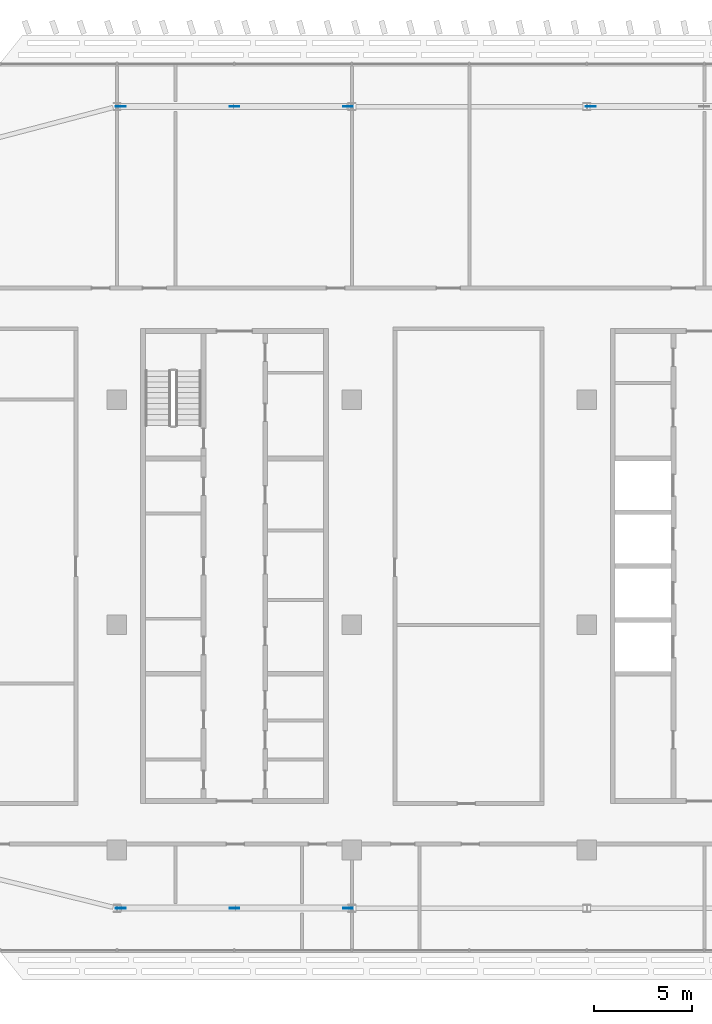
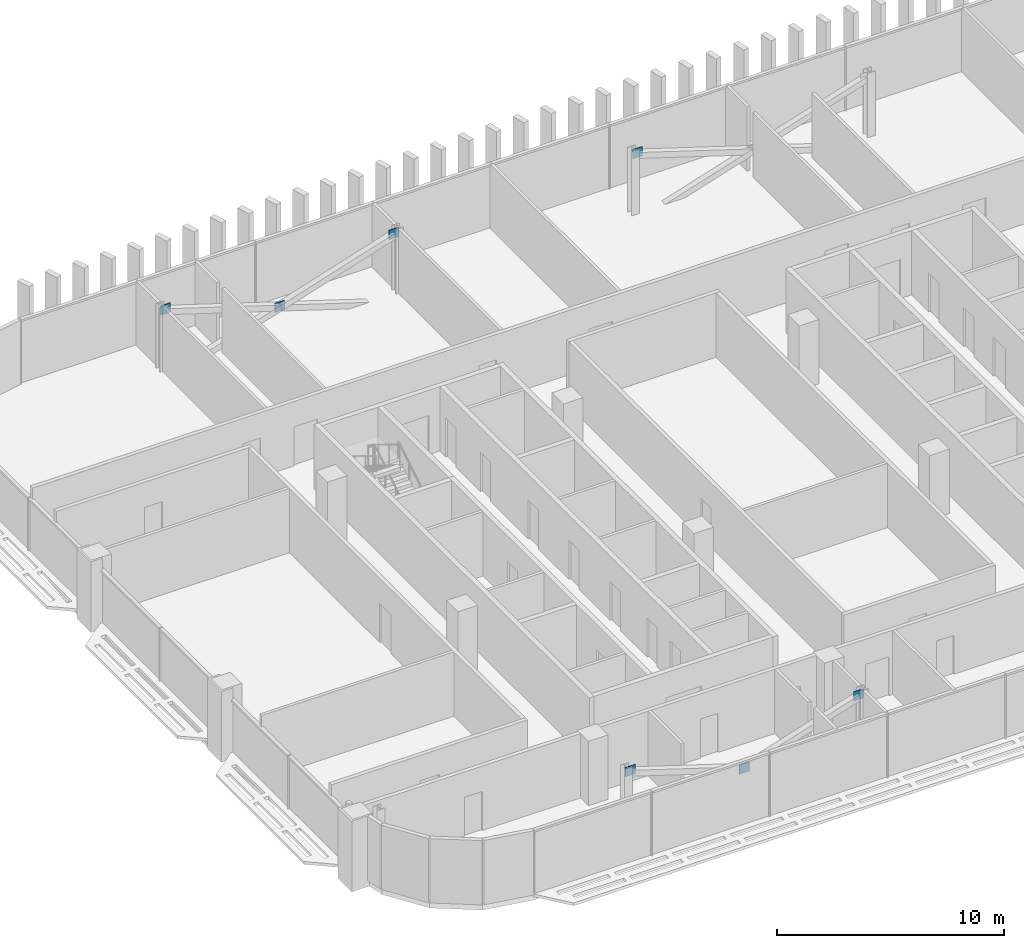
# One storey, part 23 of 32: 7 discrete accessories.
"""IFC4 building model written with IfcOpenShell, lengths in metres."""

from ifc_helpers import new_model, si_unit, direction, frame, origin, origin_2d, place, context, subcontext, project, spatial, rectangle, extrude, material, layer, layer_set, type_object, element, save


model = new_model("IFC4")

# Units and contexts
model_context = context("Model", 3, precision=1e-05, world=origin(), true_north=direction((0.0, 1.0)))
body_context = subcontext(model_context, "Body", "Model", "MODEL_VIEW")
ifc_project = project(units=[si_unit("LENGTHUNIT", "METRE"), si_unit("AREAUNIT", "SQUARE_METRE"), si_unit("VOLUMEUNIT", "CUBIC_METRE"), si_unit("PLANEANGLEUNIT", "RADIAN"), si_unit("MASSUNIT", "GRAM", prefix="KILO")], contexts=[model_context])

# Site, building, storey
site_placement = place(None, origin())
site = spatial("IfcSite", under=ifc_project, at=site_placement, CompositionType="ELEMENT")
building_placement = place(site_placement, origin())
building = spatial("IfcBuilding", under=site, at=building_placement, Name="Mahtab Terrace Research Tower", CompositionType="ELEMENT")
storey_placement = place(building_placement, frame((0.0, 0.0, 232.39990234375)))
storey = spatial("IfcBuildingStorey", under=building, at=storey_placement, Name="L56", CompositionType="ELEMENT", Elevation=232.39990234375)

# Discrete accessories
ifc_material = material(Name="Steel ASTM A992 Gr 50", Category="steel")
ifc_layer = layer(ifc_material, 0.030029296875)
ifc_layer_set = layer_set([ifc_layer], Name="Gusset plate 500x500x30")
discrete_accessory_type = type_object("IfcDiscreteAccessoryType", Name="Gusset plate 500x500x30", PredefinedType="USERDEFINED", material=ifc_layer_set)
for number, where, z_axis, x_axis, name in (
    (1, (-29.800537109375, -14.472900390625, 2.906494140625), (0.0, 0.0, 1.0), (1.0, 0.0, 0.0), "Gusset plate"),
    (2, (-29.800537109375, 26.472900390625, 2.906494140625), (0.0, 0.0, 1.0), (1.0, 0.0, 0.0), "Gusset plate"),
    (3, (-24.0, -14.472900390625, 1.006591796875), (0.0, 0.0, 1.0), (1.0, 0.0, 0.0), "Gusset plate"),
    (4, (-24.0, 26.472900390625, 1.006591796875), (0.0, 0.0, 1.0), (1.0, 0.0, 0.0), "Gusset plate"),
    (5, (-18.199462890625, -14.472900390625, 2.906494140625), (0.0, 0.0, 1.0), (1.0, 0.0, 0.0), "Gusset plate"),
    (6, (-18.199462890625, 26.472900390625, 2.906494140625), (0.0, 0.0, 1.0), (1.0, 0.0, 0.0), "Gusset plate"),
    (7, (-5.800537109375, 26.472900390625, 2.906494140625), (0.0, 0.0, 1.0), (1.0, 0.0, 0.0), "Gusset plate"),
):
    element("IfcDiscreteAccessory", number, at=place(storey_placement, frame(where, z_axis=z_axis, x_axis=x_axis)), inside=storey, type_object=discrete_accessory_type, Name=name, ObjectType="GUSSET PLATE", PredefinedType="USERDEFINED", context=body_context, shape_type="SweptSolid", body=[
        extrude(rectangle(XDim=0.5, YDim=0.030029296875, at=origin_2d()), origin(), (0.0, 0.0, 1.0), 0.5),
    ])

save(model, "model.ifc")
